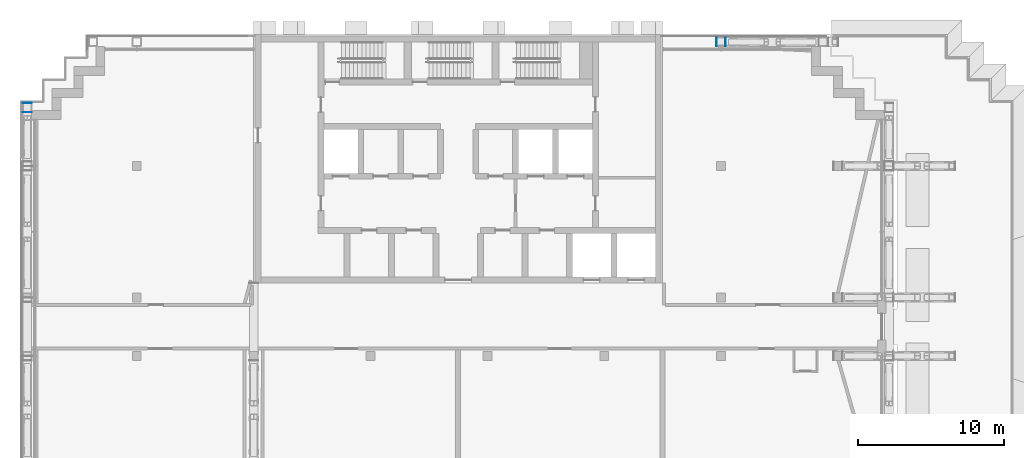
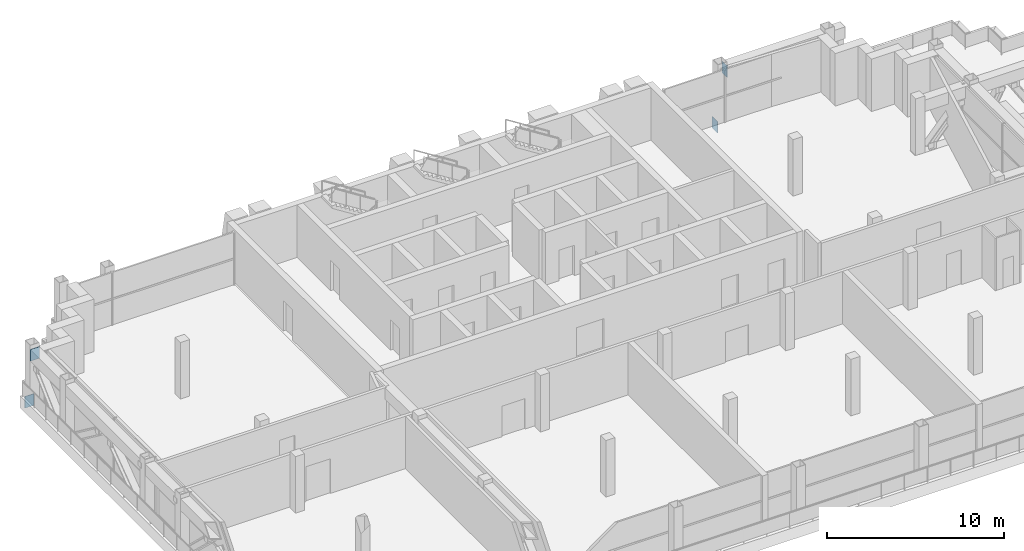
# One storey, part 12 of 21: 4 discrete accessories.
"""IFC4 building model written with IfcOpenShell, lengths in metres."""

from ifc_helpers import new_model, si_unit, direction, frame, origin, origin_2d, place, context, subcontext, project, spatial, rectangle, extrude, element, save


model = new_model("IFC4")

# Units and contexts
model_context = context("Model", 3, precision=1e-05, world=origin(), true_north=direction((0.0, 1.0)))
body_context = subcontext(model_context, "Body", "Model", "MODEL_VIEW")
ifc_project = project(units=[si_unit("LENGTHUNIT", "METRE"), si_unit("AREAUNIT", "SQUARE_METRE"), si_unit("VOLUMEUNIT", "CUBIC_METRE"), si_unit("PLANEANGLEUNIT", "RADIAN"), si_unit("MASSUNIT", "GRAM", prefix="KILO")], contexts=[model_context])

# Site, building, storey
site_placement = place(None, origin())
site = spatial("IfcSite", under=ifc_project, at=site_placement, CompositionType="ELEMENT")
building_placement = place(site_placement, origin())
building = spatial("IfcBuilding", under=site, at=building_placement, Name="Vidyagriha Tower", CompositionType="ELEMENT")
storey_placement = place(building_placement, frame((0.0, 0.0, 203.699951171875)))
storey = spatial("IfcBuildingStorey", under=building, at=storey_placement, Name="L52", CompositionType="ELEMENT", Elevation=203.699951171875)

# Discrete accessories
for number, where, z_axis, x_axis, name in (
    (1, (17.68505859375, 19.5, -0.7998046875), (0.0, 0.0, 1.0), (-1.0, 0.0, 0.0), "Chord end plate"),
    (2, (-29.5, 15.31494140625, -0.7998046875), (0.0, 0.0, 1.0), (0.0, 1.0, 0.0), "Chord end plate"),
):
    element("IfcDiscreteAccessory", number, at=place(storey_placement, frame(where, z_axis=z_axis, x_axis=x_axis)), inside=storey, Name=name, ObjectType="END PLATE", PredefinedType="USERDEFINED", context=body_context, shape_type="SweptSolid", body=[
        extrude(rectangle(XDim=0.030029296875, YDim=0.60009765625, at=origin_2d()), origin(), (0.0, 0.0, 1.0), 0.800048828125),
    ])
for number, where, z_axis, x_axis, name in (
    (3, (18.309814453125, 19.5, 2.81982421875), (0.0, 0.0, 1.0), (-1.0, 0.0, 0.0), "End plate ASTM A572 Grade 50 20mm"),
    (4, (-29.5, 14.690185546875, 2.81982421875), (0.0, 0.0, 1.0), (0.0, 1.0, 0.0), "End plate ASTM A572 Grade 50 20mm"),
):
    element("IfcDiscreteAccessory", number, at=place(storey_placement, frame(where, z_axis=z_axis, x_axis=x_axis)), inside=storey, Name=name, ObjectType="END PLATE", PredefinedType="USERDEFINED", context=body_context, shape_type="SweptSolid", body=[
        extrude(rectangle(XDim=0.02001953125, YDim=0.60009765625, at=origin_2d()), origin(), (0.0, 0.0, 1.0), 0.800048828125),
    ])

save(model, "model.ifc")
